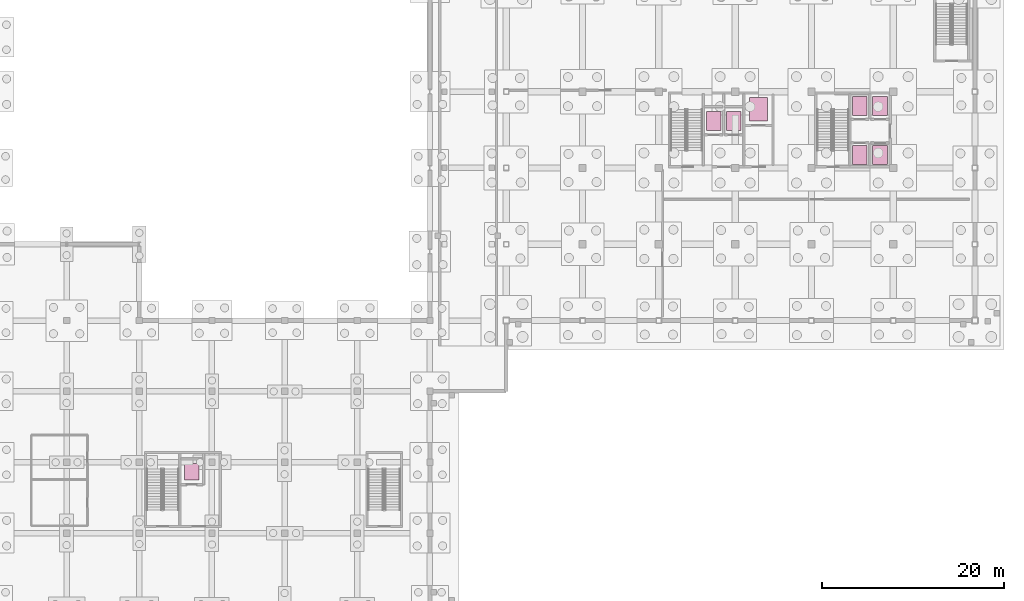
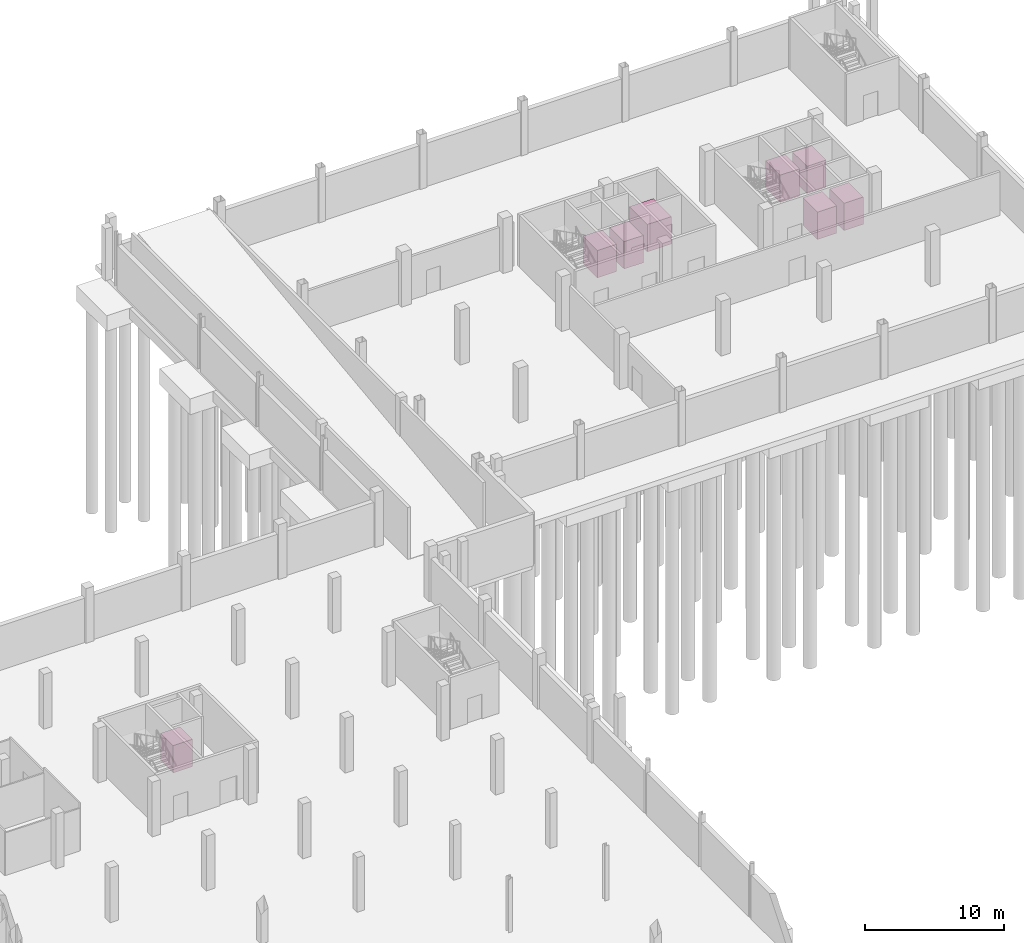
# One storey, part 44 of 44: 8 transport elements.
"""IFC4 building model written with IfcOpenShell, lengths in metres."""

from ifc_helpers import new_model, si_unit, direction, frame, origin, origin_2d, place, context, subcontext, project, spatial, rectangle, extrude, material, type_object, element, save


model = new_model("IFC4")

# Units and contexts
model_context = context("Model", 3, precision=1e-05, world=origin(), true_north=direction((0.0, 1.0)))
body_context = subcontext(model_context, "Body", "Model", "MODEL_VIEW")
ifc_project = project(units=[si_unit("LENGTHUNIT", "METRE"), si_unit("AREAUNIT", "SQUARE_METRE"), si_unit("VOLUMEUNIT", "CUBIC_METRE"), si_unit("PLANEANGLEUNIT", "RADIAN"), si_unit("MASSUNIT", "GRAM", prefix="KILO")], contexts=[model_context])

# Site, building, storey
site_placement = place(None, origin())
site = spatial("IfcSite", under=ifc_project, at=site_placement, CompositionType="ELEMENT")
building_placement = place(site_placement, origin())
building = spatial("IfcBuilding", under=site, at=building_placement, Name="Yukiwa Park Conservatory and Herbarium", CompositionType="ELEMENT")
storey_placement = place(building_placement, frame((0.0, 0.0, -4.800048828125)))
storey = spatial("IfcBuildingStorey", under=building, at=storey_placement, Name="B1", CompositionType="ELEMENT", Elevation=-4.800048828125)

# Transport elements
ifc_material_1 = material(Name="Steel Q235B", Category="steel")
transport_element_type_1 = type_object("IfcTransportElementType", Name="TR-LIFT-FL1", PredefinedType="ELEVATOR", material=ifc_material_1)
transport_element_1_placement = place(storey_placement, frame((139.219970703125, 99.989990234375, 0.0), z_axis=(0.0, 0.0, 1.0), x_axis=(1.0, 0.0, 0.0)))
element("IfcTransportElement", 1, at=transport_element_1_placement, inside=storey, type_object=transport_element_type_1, Name="Firefighting Lift FL1", PredefinedType="ELEVATOR", context=body_context, shape_type="SweptSolid", body=[
    extrude(rectangle(XDim=1.60009765625, YDim=2.10009765625, at=origin_2d()), origin(), (0.0, 0.0, 1.0), 2.39990234375),
])
ifc_material_2 = material(Name="Steel Q235B", Category="steel")
transport_element_type_2 = type_object("IfcTransportElementType", Name="TR-LIFT-FL2", PredefinedType="ELEVATOR", material=ifc_material_2)
transport_element_2_placement = place(storey_placement, frame((141.43994140625, 99.989990234375, 0.0), z_axis=(0.0, 0.0, 1.0), x_axis=(1.0, 0.0, 0.0)))
element("IfcTransportElement", 2, at=transport_element_2_placement, inside=storey, type_object=transport_element_type_2, Name="Firefighting Lift FL2", PredefinedType="ELEVATOR", context=body_context, shape_type="SweptSolid", body=[
    extrude(rectangle(XDim=1.60009765625, YDim=2.10009765625, at=origin_2d()), origin(), (0.0, 0.0, 1.0), 2.39990234375),
])
ifc_material_3 = material(Name="Steel Q235B", Category="steel")
transport_element_type_3 = type_object("IfcTransportElementType", Name="TR-LIFT-GL1", PredefinedType="ELEVATOR", material=ifc_material_3)
transport_element_3_placement = place(storey_placement, frame((144.159912109375, 101.27490234375, 0.0), z_axis=(0.0, 0.0, 1.0), x_axis=(1.0, 0.0, 0.0)))
element("IfcTransportElement", 3, at=transport_element_3_placement, inside=storey, type_object=transport_element_type_3, Name="Herbarium Goods Lift GL1", PredefinedType="ELEVATOR", context=body_context, shape_type="SweptSolid", body=[
    extrude(rectangle(XDim=2.0, YDim=2.60009765625, at=origin_2d()), origin(), (0.0, 0.0, 1.0), 2.39990234375),
])
ifc_material_4 = material(Name="Steel Q235B", Category="steel")
transport_element_type_4 = type_object("IfcTransportElementType", Name="TR-LIFT-LP1", PredefinedType="ELEVATOR", material=ifc_material_4)
transport_element_4_placement = place(storey_placement, frame((155.330078125, 101.60009765625, 0.0), z_axis=(0.0, 0.0, 1.0), x_axis=(1.0, 0.0, 0.0)))
element("IfcTransportElement", 4, at=transport_element_4_placement, inside=storey, type_object=transport_element_type_4, Name="Tower Passenger Lift LP1", PredefinedType="ELEVATOR", context=body_context, shape_type="SweptSolid", body=[
    extrude(rectangle(XDim=1.60009765625, YDim=2.10009765625, at=origin_2d()), origin(), (0.0, 0.0, 1.0), 2.39990234375),
])
ifc_material_5 = material(Name="Steel Q235B", Category="steel")
transport_element_type_5 = type_object("IfcTransportElementType", Name="TR-LIFT-LP2", PredefinedType="ELEVATOR", material=ifc_material_5)
transport_element_5_placement = place(storey_placement, frame((157.550048828125, 101.60009765625, 0.0), z_axis=(0.0, 0.0, 1.0), x_axis=(1.0, 0.0, 0.0)))
element("IfcTransportElement", 5, at=transport_element_5_placement, inside=storey, type_object=transport_element_type_5, Name="Tower Passenger Lift LP2", PredefinedType="ELEVATOR", context=body_context, shape_type="SweptSolid", body=[
    extrude(rectangle(XDim=1.60009765625, YDim=2.10009765625, at=origin_2d()), origin(), (0.0, 0.0, 1.0), 2.39990234375),
])
ifc_material_6 = material(Name="Steel Q235B", Category="steel")
transport_element_type_6 = type_object("IfcTransportElementType", Name="TR-LIFT-LP3", PredefinedType="ELEVATOR", material=ifc_material_6)
transport_element_6_placement = place(storey_placement, frame((155.330078125, 96.25, 0.0), z_axis=(0.0, 0.0, 1.0), x_axis=(1.0, 0.0, 0.0)))
element("IfcTransportElement", 6, at=transport_element_6_placement, inside=storey, type_object=transport_element_type_6, Name="Tower Passenger Lift LP3", PredefinedType="ELEVATOR", context=body_context, shape_type="SweptSolid", body=[
    extrude(rectangle(XDim=1.60009765625, YDim=2.10009765625, at=origin_2d()), origin(), (0.0, 0.0, 1.0), 2.39990234375),
])
ifc_material_7 = material(Name="Steel Q235B", Category="steel")
transport_element_type_7 = type_object("IfcTransportElementType", Name="TR-LIFT-LP4", PredefinedType="ELEVATOR", material=ifc_material_7)
transport_element_7_placement = place(storey_placement, frame((157.550048828125, 96.25, 0.0), z_axis=(0.0, 0.0, 1.0), x_axis=(1.0, 0.0, 0.0)))
element("IfcTransportElement", 7, at=transport_element_7_placement, inside=storey, type_object=transport_element_type_7, Name="Tower Passenger Lift LP4", PredefinedType="ELEVATOR", context=body_context, shape_type="SweptSolid", body=[
    extrude(rectangle(XDim=1.60009765625, YDim=2.10009765625, at=origin_2d()), origin(), (0.0, 0.0, 1.0), 2.39990234375),
])
ifc_material_8 = material(Name="Steel Q235B", Category="steel")
transport_element_type_8 = type_object("IfcTransportElementType", Name="TR-LIFT-VL1", PredefinedType="ELEVATOR", material=ifc_material_8)
transport_element_8_placement = place(storey_placement, frame((81.77001953125, 61.35009765625, 0.0), z_axis=(0.0, 0.0, 1.0), x_axis=(1.0, 0.0, 0.0)))
element("IfcTransportElement", 8, at=transport_element_8_placement, inside=storey, type_object=transport_element_type_8, Name="Visitor Accessible Lift VL1", PredefinedType="ELEVATOR", context=body_context, shape_type="SweptSolid", body=[
    extrude(rectangle(XDim=1.60009765625, YDim=1.800048828125, at=origin_2d()), origin(), (0.0, 0.0, 1.0), 2.39990234375),
])

save(model, "model.ifc")
